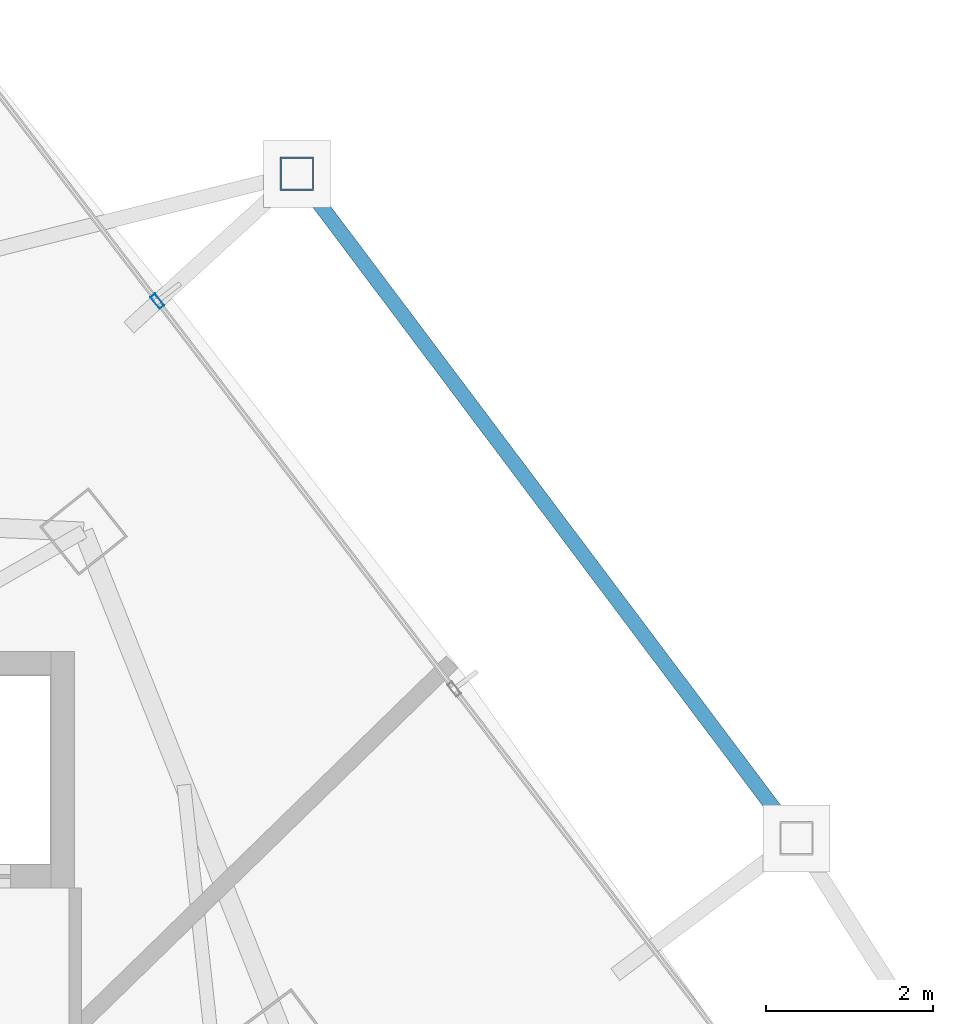
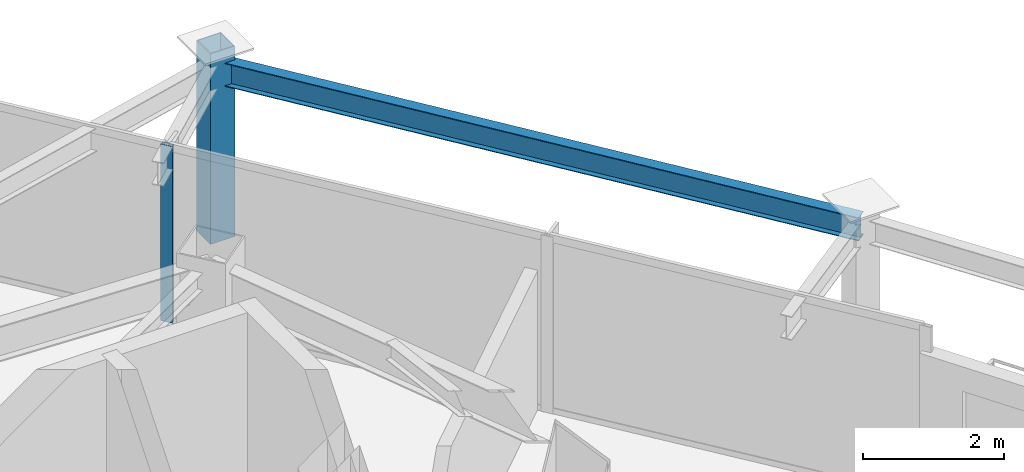
# One storey, part 24 of 31: 2 members, 1 beam, 1 element without a shape of its own.
"""IFC4 building model written with IfcOpenShell, lengths in metres."""

from ifc_helpers import new_model, si_unit, direction, frame, origin, origin_2d, place, context, subcontext, project, spatial, hollow_rectangle, i_section, extrude, material, layer, layer_set, material_profile, profile_set, type_object, element, aggregate, save


model = new_model("IFC4")

# Units and contexts
model_context = context("Model", 3, precision=1e-05, world=origin(), true_north=direction((0.0, 1.0)))
body_context = subcontext(model_context, "Body", "Model", "MODEL_VIEW")
ifc_project = project(units=[si_unit("LENGTHUNIT", "METRE"), si_unit("AREAUNIT", "SQUARE_METRE"), si_unit("VOLUMEUNIT", "CUBIC_METRE"), si_unit("PLANEANGLEUNIT", "RADIAN"), si_unit("MASSUNIT", "GRAM", prefix="KILO")], contexts=[model_context])

# Site, building, storey
site_placement = place(None, origin())
site = spatial("IfcSite", under=ifc_project, at=site_placement, CompositionType="ELEMENT")
building_placement = place(site_placement, origin())
building = spatial("IfcBuilding", under=site, at=building_placement, Name="Orvanel Arch Residences", CompositionType="ELEMENT")
storey_placement = place(building_placement, frame((0.0, 0.0, 113.300048828125)))
storey = spatial("IfcBuildingStorey", under=building, at=storey_placement, Name="L31", CompositionType="ELEMENT", Elevation=113.300048828125)

# Curtain wall, member
ifc_material_1 = material(Name="Bronze-anodised aluminium AA6063-T6", Category="aluminium")
ifc_layer = layer(ifc_material_1, 0.179931640625)
ifc_layer_set = layer_set([ifc_layer], Name="Bronze-anodised aluminium AA6063-T6")
curtain_wall_type = type_object("IfcCurtainWallType", Name="CW3-MID-SYS", PredefinedType="NOTDEFINED", material=ifc_layer_set)
curtain_wall_placement = place(storey_placement, origin())
curtain_wall = element("IfcCurtainWall", 1, at=curtain_wall_placement, inside=storey, type_object=curtain_wall_type, Name="L31 CW3-MID-SYS Unitised Curtain Wall", PredefinedType="NOTDEFINED")
ifc_material_profile_1 = material_profile(ifc_material_1, hollow_rectangle(XDim=0.070068359375, YDim=0.179931640625, WallThickness=0.00439453125, at=origin_2d()), Name="ALU180x70x4.5")
ifc_profile_set_1 = profile_set([ifc_material_profile_1], Name="Bronze-anodised aluminium AA6063-T6")
member_type_1 = type_object("IfcMemberType", Name="MUL-180x70", PredefinedType="MULLION", material=ifc_profile_set_1)
member_1_placement = place(storey_placement, frame((38.8330078125, 43.936767578125, 0.0), z_axis=(0.0, 0.0, 1.0), x_axis=(-0.794009853454, -0.607904887805, 0.0)))
member_1 = element("IfcMember", 2, at=member_1_placement, type_object=member_type_1, Name="CW-S3 mullion 3", PredefinedType="MULLION", context=body_context, shape_type="SweptSolid", body=[
    extrude(hollow_rectangle(XDim=0.070068359375, YDim=0.179931640625, WallThickness=0.00439453125, at=origin_2d()), origin(), (0.0, 0.0, 1.0), 3.06005859375),
])
aggregate(curtain_wall, [member_1])

# Beam
ifc_material_2 = material(Name="Structural steel AS/NZS 3679.1 Grade 300 (300 MPa)", Category="steel")
ifc_material_profile_2 = material_profile(ifc_material_2, i_section(OverallWidth=0.177978515625, OverallDepth=0.406005859375, WebThickness=0.0078125, FlangeThickness=0.0126953125, at=origin_2d()), Name="410UB59.7")
ifc_profile_set_2 = profile_set([ifc_material_profile_2], Name="Structural steel AS/NZS 3679.1 Grade 300 (300 MPa)")
beam_type = type_object("IfcBeamType", Name="OB-410UB-EXT", PredefinedType="SPANDREL", material=ifc_profile_set_2)
beam_placement = place(storey_placement, frame((46.486083984375, 37.5048828125, 2.85693359375), z_axis=(-0.600862966541, 0.799352047248, 0.0), x_axis=(-0.799352047248, -0.600862966541, 0.0)))
element("IfcBeam", 3, at=beam_placement, inside=storey, type_object=beam_type, Name="L31 Outer Perimeter Floor Ring Beam 11", PredefinedType="SPANDREL", context=body_context, shape_type="SweptSolid", body=[
    extrude(i_section(OverallWidth=0.177978515625, OverallDepth=0.406005859375, WebThickness=0.0078125, FlangeThickness=0.0126953125, at=origin_2d()), origin(), (0.0, 0.0, 1.0), 9.954345703125),
])

# Member
ifc_material_3 = material(Name="Structural steel AS/NZS 1163 C450L0 (Grade 450)", Category="steel")
ifc_material_profile_3 = material_profile(ifc_material_3, hollow_rectangle(XDim=0.39990234375, YDim=0.39990234375, WallThickness=0.01611328125, at=origin_2d()), Name="SHS400x400x16")
ifc_profile_set_3 = profile_set([ifc_material_profile_3], Name="Structural steel AS/NZS 1163 C450L0 (Grade 450)")
member_type_2 = type_object("IfcMemberType", Name="ST-400SHS-EXT", PredefinedType="STRUT", material=ifc_profile_set_3)
member_2_placement = place(storey_placement, frame((40.5048828125, 45.4619140625, 0.0), z_axis=(0.0, 0.0, 1.0), x_axis=(1.0, 0.0, 0.0)))
element("IfcMember", 4, at=member_2_placement, inside=storey, type_object=member_type_2, Name="L31 Outer Perimeter Frame Post 12", PredefinedType="STRUT", context=body_context, shape_type="SweptSolid", body=[
    extrude(hollow_rectangle(XDim=0.39990234375, YDim=0.39990234375, WallThickness=0.01611328125, at=origin_2d()), origin(), (0.0, 0.0, 1.0), 3.300048828125),
])

save(model, "model.ifc")
